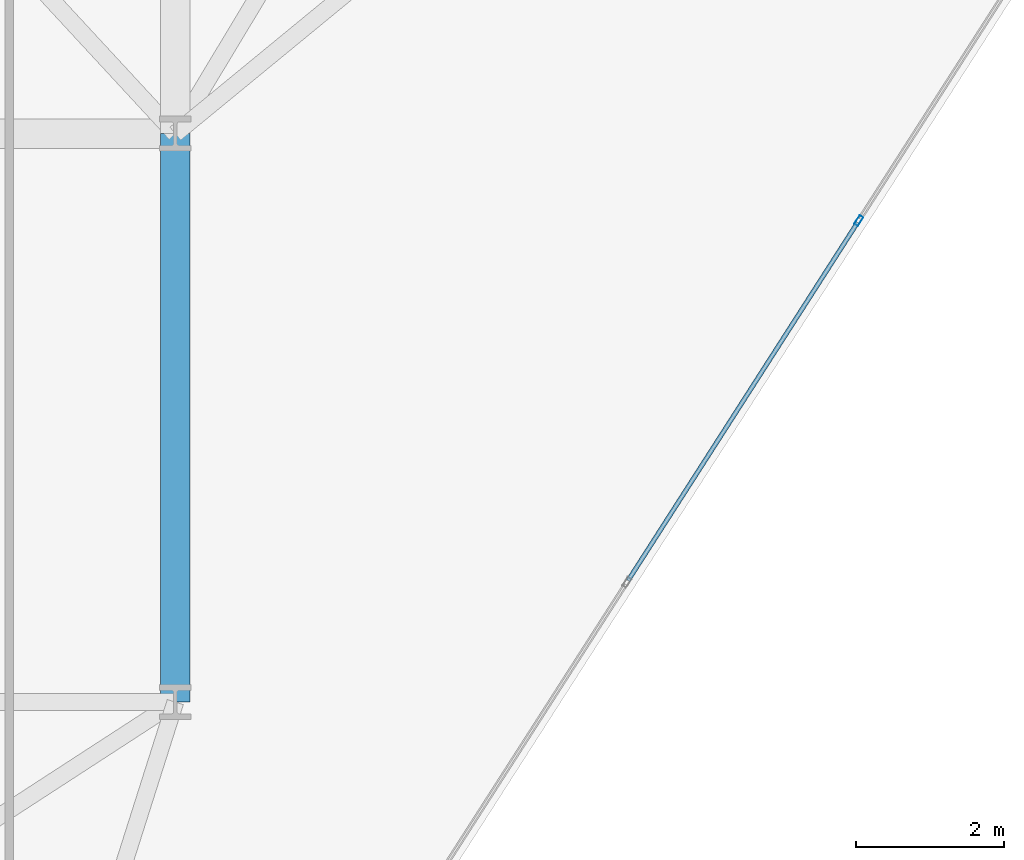
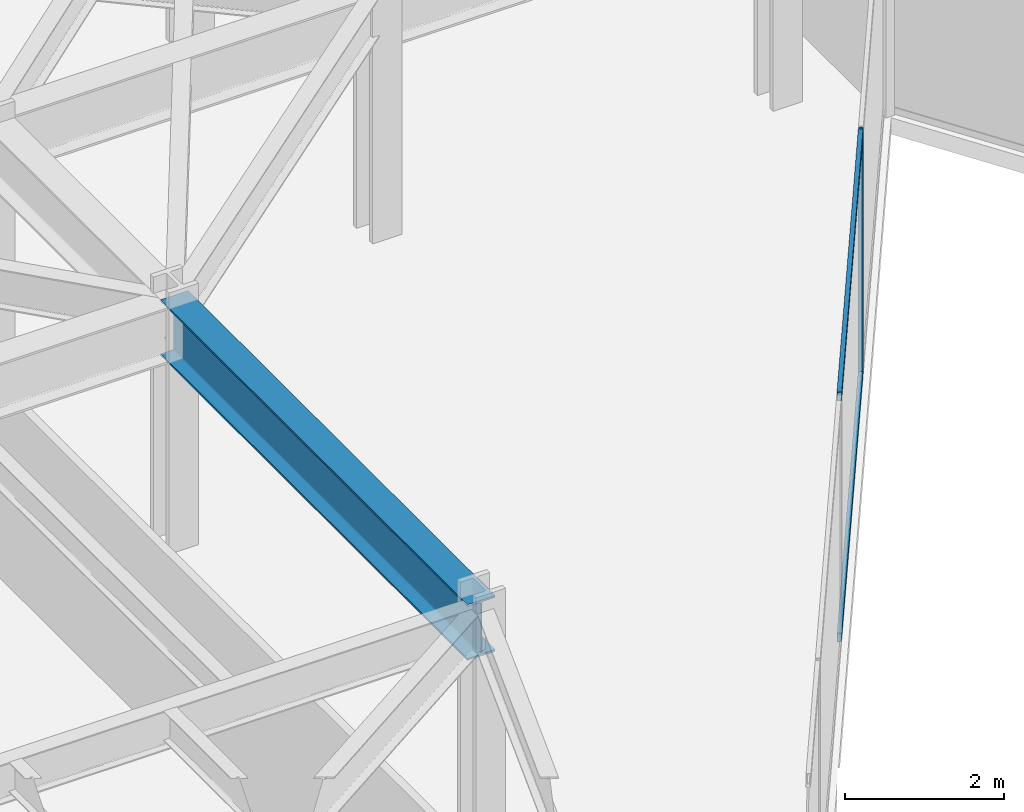
# One storey, part 8 of 26: 3 members, 1 beam, 1 element without a shape of its own.
"""IFC4 building model written with IfcOpenShell, lengths in metres."""

from ifc_helpers import new_model, si_unit, direction, frame, origin, origin_2d, place, context, subcontext, project, spatial, hollow_rectangle, i_section, extrude, material, layer, layer_set, material_profile, profile_set, type_object, element, aggregate, save


model = new_model("IFC4")

# Units and contexts
model_context = context("Model", 3, precision=1e-05, world=origin(), true_north=direction((0.0, 1.0)))
body_context = subcontext(model_context, "Body", "Model", "MODEL_VIEW")
ifc_project = project(units=[si_unit("LENGTHUNIT", "METRE"), si_unit("AREAUNIT", "SQUARE_METRE"), si_unit("VOLUMEUNIT", "CUBIC_METRE"), si_unit("PLANEANGLEUNIT", "RADIAN"), si_unit("MASSUNIT", "GRAM", prefix="KILO")], contexts=[model_context])

# Site, building, storey
site_placement = place(None, origin())
site = spatial("IfcSite", under=ifc_project, at=site_placement, CompositionType="ELEMENT")
building_placement = place(site_placement, origin())
building = spatial("IfcBuilding", under=site, at=building_placement, Name="Kravanh Interchange Tower", CompositionType="ELEMENT")
storey_placement = place(building_placement, frame((0.0, 0.0, 108.0)))
storey = spatial("IfcBuildingStorey", under=building, at=storey_placement, Name="L25", CompositionType="ELEMENT", Elevation=108.0)

# Curtain wall, members
ifc_material_1 = material(Name="Anodised Bronze Aluminium", Category="aluminium")
ifc_layer = layer(ifc_material_1, 0.179931640625)
ifc_layer_set = layer_set([ifc_layer], Name="Unitised Curtain Wall System CW-Z2 Mid Office")
curtain_wall_type = type_object("IfcCurtainWallType", Name="Unitised Curtain Wall System CW-Z2 Mid Office", PredefinedType="NOTDEFINED", material=ifc_layer_set)
curtain_wall_placement = place(storey_placement, origin())
curtain_wall = element("IfcCurtainWall", 1, at=curtain_wall_placement, inside=storey, type_object=curtain_wall_type, Name="L25 Unitised Curtain Wall CW-L25-05", PredefinedType="NOTDEFINED")
ifc_material_2 = material(Name="Anodised Bronze Aluminium", Category="aluminium")
ifc_material_profile_1 = material_profile(ifc_material_2, hollow_rectangle(XDim=0.06005859375, YDim=0.139892578125, WallThickness=0.00390625, at=origin_2d()), Name="ALU60X140X4")
ifc_profile_set_1 = profile_set([ifc_material_profile_1], Name="Anodised Bronze Aluminium")
member_type_1 = type_object("IfcMemberType", Name="Curtain Wall Mullion ALU60X140X4 Bronze", PredefinedType="MULLION", material=ifc_profile_set_1)
member_1_placement = place(storey_placement, frame((36.45849609375, 21.021728515625, 0.0), z_axis=(0.0, 0.0, 1.0), x_axis=(0.841879939476, -0.539664865919, 0.0)))
member_1 = element("IfcMember", 2, at=member_1_placement, type_object=member_type_1, Name="CW-Z2 mullion 2", PredefinedType="MULLION", context=body_context, shape_type="SweptSolid", body=[
    extrude(hollow_rectangle(XDim=0.06005859375, YDim=0.139892578125, WallThickness=0.00390625, at=origin_2d()), origin(), (0.0, 0.0, 1.0), 3.75),
])
ifc_material_3 = material(Name="Anodised Bronze Aluminium", Category="aluminium")
ifc_material_profile_2 = material_profile(ifc_material_3, hollow_rectangle(XDim=0.06005859375, YDim=0.139892578125, WallThickness=0.00390625, at=origin_2d()), Name="ALU60X140X4")
ifc_profile_set_2 = profile_set([ifc_material_profile_2], Name="Anodised Bronze Aluminium")
member_type_2 = type_object("IfcMemberType", Name="Curtain Wall Transom ALU60X140X4 Bronze", PredefinedType="USERDEFINED", material=ifc_profile_set_2)
member_2_placement = place(storey_placement, frame((36.4423828125, 20.99658203125, 0.030029296875), z_axis=(-0.539647630778, -0.841890987359, 0.0), x_axis=(0.841890987359, -0.539647630778, 0.0)))
member_2 = element("IfcMember", 3, at=member_2_placement, type_object=member_type_2, Name="CW-Z2 transom 2.1", ObjectType="TRANSOM", PredefinedType="USERDEFINED", context=body_context, shape_type="SweptSolid", body=[
    extrude(hollow_rectangle(XDim=0.06005859375, YDim=0.139892578125, WallThickness=0.00390625, at=origin_2d()), origin(), (0.0, 0.0, 1.0), 5.760986328125),
])
member_3_placement = place(storey_placement, frame((36.4423828125, 20.99658203125, 3.719970703125), z_axis=(-0.539647630778, -0.841890987359, 0.0), x_axis=(0.841890987359, -0.539647630778, 0.0)))
member_3 = element("IfcMember", 4, at=member_3_placement, type_object=member_type_2, Name="CW-Z2 transom 2.2", ObjectType="TRANSOM", PredefinedType="USERDEFINED", context=body_context, shape_type="SweptSolid", body=[
    extrude(hollow_rectangle(XDim=0.06005859375, YDim=0.139892578125, WallThickness=0.00390625, at=origin_2d()), origin(), (0.0, 0.0, 1.0), 5.760986328125),
])
aggregate(curtain_wall, [member_1, member_2, member_3])

# Beam
ifc_material_4 = material(Name="Structural Steel S355", Category="steel")
ifc_material_profile_3 = material_profile(ifc_material_4, i_section(OverallWidth=0.39990234375, OverallDepth=0.85595703125, WebThickness=0.018310546875, FlangeThickness=0.029296875, FilletRadius=0.02490234375, at=origin_2d()), Name="W33X201")
ifc_profile_set_3 = profile_set([ifc_material_profile_3], Name="Structural Steel S355")
beam_type = type_object("IfcBeamType", Name="Floor Beam W33X201 Structural Steel S355", PredefinedType="BEAM", material=ifc_profile_set_3)
beam_placement = place(storey_placement, frame((27.199951171875, 14.5, 3.322021484375), z_axis=(0.0, 1.0, 0.0), x_axis=(-1.0, 0.0, 0.0)))
element("IfcBeam", 5, at=beam_placement, inside=storey, type_object=beam_type, Name="L25 Primary Floor Girder 102", PredefinedType="BEAM", context=body_context, shape_type="SweptSolid", body=[
    extrude(i_section(OverallWidth=0.39990234375, OverallDepth=0.85595703125, WebThickness=0.018310546875, FlangeThickness=0.029296875, FilletRadius=0.02490234375, at=origin_2d()), origin(), (0.0, 0.0, 1.0), 7.699951171875),
])

save(model, "model.ifc")
